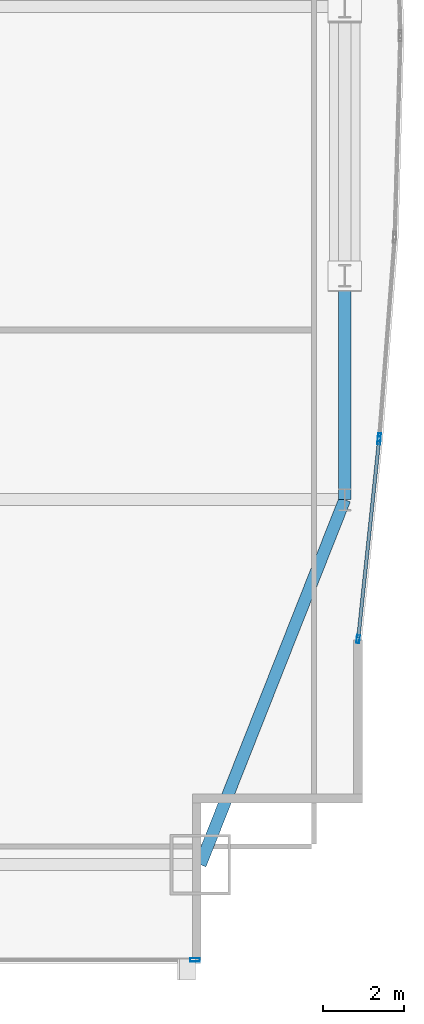
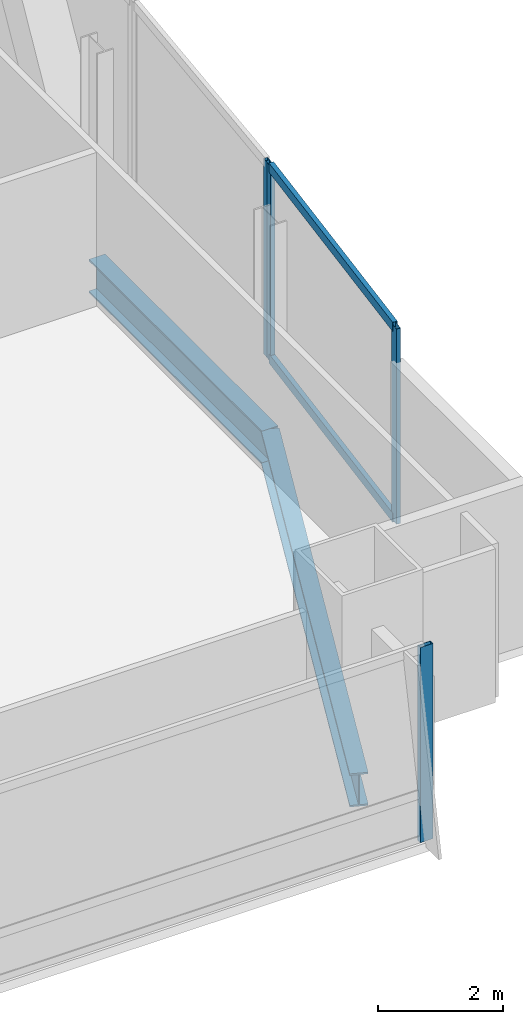
# One storey, part 22 of 32: 6 members, 2 beams, 3 elements without a shape of their own.
"""IFC4 building model written with IfcOpenShell, lengths in metres."""

from ifc_helpers import new_model, si_unit, direction, frame, origin, origin_2d, place, context, subcontext, project, spatial, hollow_rectangle, i_section, extrude, material, material_profile, profile_set, type_object, element, aggregate, save


model = new_model("IFC4")

# Units and contexts
model_context = context("Model", 3, precision=1e-05, world=origin(), true_north=direction((0.0, 1.0)))
body_context = subcontext(model_context, "Body", "Model", "MODEL_VIEW")
ifc_project = project(units=[si_unit("LENGTHUNIT", "METRE"), si_unit("AREAUNIT", "SQUARE_METRE"), si_unit("VOLUMEUNIT", "CUBIC_METRE"), si_unit("PLANEANGLEUNIT", "RADIAN"), si_unit("MASSUNIT", "GRAM", prefix="KILO")], contexts=[model_context])

# Site, building, storey
site_placement = place(None, origin())
site = spatial("IfcSite", under=ifc_project, at=site_placement, CompositionType="ELEMENT")
building_placement = place(site_placement, origin())
building = spatial("IfcBuilding", under=site, at=building_placement, Name="Khoronbel Lancet Exchange", CompositionType="ELEMENT")
storey_placement = place(building_placement, frame((0.0, 0.0, 94.60009765625)))
storey = spatial("IfcBuildingStorey", under=building, at=storey_placement, Name="L22", CompositionType="ELEMENT", Elevation=94.60009765625)

# Beams
ifc_material_1 = material(Name="Steel S355", Category="steel")
ifc_material_profile_1 = material_profile(ifc_material_1, i_section(OverallWidth=0.300048828125, OverallDepth=0.64990234375, WebThickness=0.01611328125, FlangeThickness=0.031005859375, at=origin_2d()), Name="HEB 650")
ifc_profile_set_1 = profile_set([ifc_material_profile_1], Name="Steel S355")
beam_type = type_object("IfcBeamType", Name="BM-BSP1", PredefinedType="SPANDREL", material=ifc_profile_set_1)
beam_1_placement = place(storey_placement, frame((66.050048828125, 10.14990234375, -0.505126953125), z_axis=(0.367828403855, 0.929893684954, 0.0), x_axis=(-0.929893684954, 0.367828403855, 0.0)))
element("IfcBeam", 1, at=beam_1_placement, inside=storey, type_object=beam_type, Name="Level L22 perimeter spandrel beam SP10", PredefinedType="SPANDREL", context=body_context, shape_type="SweptSolid", body=[
    extrude(i_section(OverallWidth=0.300048828125, OverallDepth=0.64990234375, WebThickness=0.01611328125, FlangeThickness=0.031005859375, at=origin_2d()), origin(), (0.0, 0.0, 1.0), 9.732421875),
])
beam_2_placement = place(storey_placement, frame((69.6298828125, 19.199951171875, -0.505126953125), z_axis=(0.0, 1.0, 0.0), x_axis=(-1.0, 0.0, 0.0)))
element("IfcBeam", 2, at=beam_2_placement, inside=storey, type_object=beam_type, Name="Level L22 perimeter spandrel beam SP11", PredefinedType="SPANDREL", context=body_context, shape_type="SweptSolid", body=[
    extrude(i_section(OverallWidth=0.300048828125, OverallDepth=0.64990234375, WebThickness=0.01611328125, FlangeThickness=0.031005859375, at=origin_2d()), origin(), (0.0, 0.0, 1.0), 5.550048828125),
])

# Curtain wall, member
ifc_material_2 = material(Name="Low-E Solar Control Insulating Glass", Category="glass")
curtain_wall_type_1 = type_object("IfcCurtainWallType", Name="CW-2", PredefinedType="NOTDEFINED", material=ifc_material_2)
curtain_wall_1_placement = place(storey_placement, origin())
curtain_wall_1 = element("IfcCurtainWall", 3, at=curtain_wall_1_placement, inside=storey, type_object=curtain_wall_type_1, Name="Unitised curtain wall CW-L22-SEV", PredefinedType="NOTDEFINED")
ifc_material_3 = material(Name="Bronze-Anodised Aluminium 6063-T6", Category="aluminium")
ifc_material_profile_2 = material_profile(ifc_material_3, hollow_rectangle(XDim=0.0849609375, YDim=0.239990234375, WallThickness=0.006103515625, at=origin_2d()), Name="ALU MULLION 85x240")
ifc_profile_set_2 = profile_set([ifc_material_profile_2], Name="Bronze-Anodised Aluminium 6063-T6")
member_type_1 = type_object("IfcMemberType", Name="MEM-CWM1", PredefinedType="MULLION", material=ifc_profile_set_2)
member_1_placement = place(storey_placement, frame((65.91748046875, 7.7900390625, 0.0), z_axis=(0.0, 0.0, 1.0), x_axis=(0.0, 1.0, 0.0)))
member_1 = element("IfcMember", 4, at=member_1_placement, type_object=member_type_1, Name="CW2 mullion 2", PredefinedType="MULLION", context=body_context, shape_type="SweptSolid", body=[
    extrude(hollow_rectangle(XDim=0.0849609375, YDim=0.239990234375, WallThickness=0.006103515625, at=origin_2d()), origin(), (0.0, 0.0, 1.0), 3.81982421875),
])
aggregate(curtain_wall_1, [member_1])

curtain_wall_type_2 = type_object("IfcCurtainWallType", Name="CW-4", PredefinedType="NOTDEFINED", material=ifc_material_2)
curtain_wall_2_placement = place(storey_placement, origin())
curtain_wall_2 = element("IfcCurtainWall", 5, at=curtain_wall_2_placement, inside=storey, type_object=curtain_wall_type_2, Name="Unitised curtain wall CW-L22-E21", PredefinedType="NOTDEFINED")
ifc_material_profile_3 = material_profile(ifc_material_3, hollow_rectangle(XDim=0.074951171875, YDim=0.199951171875, WallThickness=0.0048828125, at=origin_2d()), Name="ALU MULLION 75x200")
ifc_profile_set_3 = profile_set([ifc_material_profile_3], Name="Bronze-Anodised Aluminium 6063-T6")
member_type_2 = type_object("IfcMemberType", Name="MEM-CWM2", PredefinedType="MULLION", material=ifc_profile_set_3)
member_2_placement = place(storey_placement, frame((70.48828125, 20.74560546875, 0.0), z_axis=(0.0, 0.0, 1.0), x_axis=(0.997059882555, -0.076626304874, 0.0)))
member_2 = element("IfcMember", 6, at=member_2_placement, type_object=member_type_2, Name="CW4 mullion 2", PredefinedType="MULLION", context=body_context, shape_type="SweptSolid", body=[
    extrude(hollow_rectangle(XDim=0.074951171875, YDim=0.199951171875, WallThickness=0.0048828125, at=origin_2d()), origin(), (0.0, 0.0, 1.0), 3.81982421875),
])
aggregate(curtain_wall_2, [member_2])

# Curtain wall, members
curtain_wall_3_placement = place(storey_placement, origin())
curtain_wall_3 = element("IfcCurtainWall", 7, at=curtain_wall_3_placement, inside=storey, type_object=curtain_wall_type_2, Name="Unitised curtain wall CW-L22-E22", PredefinedType="NOTDEFINED")
member_3_placement = place(storey_placement, frame((70.4814453125, 20.6708984375, 0.0), z_axis=(0.0, 0.0, 1.0), x_axis=(0.994531779003, -0.104434383958, 0.0)))
member_3 = element("IfcMember", 8, at=member_3_placement, type_object=member_type_2, Name="CW4 mullion 1", PredefinedType="MULLION", context=body_context, shape_type="SweptSolid", body=[
    extrude(hollow_rectangle(XDim=0.074951171875, YDim=0.199951171875, WallThickness=0.0048828125, at=origin_2d()), origin(), (0.0, 0.0, 1.0), 3.81982421875),
])
member_4_placement = place(storey_placement, frame((69.9638671875, 15.741943359375, 0.0), z_axis=(0.0, 0.0, 1.0), x_axis=(0.994531779003, -0.104434383958, 0.0)))
member_4 = element("IfcMember", 9, at=member_4_placement, type_object=member_type_2, Name="CW4 mullion 2", PredefinedType="MULLION", context=body_context, shape_type="SweptSolid", body=[
    extrude(hollow_rectangle(XDim=0.074951171875, YDim=0.199951171875, WallThickness=0.0048828125, at=origin_2d()), origin(), (0.0, 0.0, 1.0), 3.81982421875),
])
ifc_material_profile_4 = material_profile(ifc_material_3, hollow_rectangle(XDim=0.0849609375, YDim=0.179931640625, WallThickness=0.0048828125, at=origin_2d()), Name="ALU TRANSOM 85x180")
ifc_profile_set_4 = profile_set([ifc_material_profile_4], Name="Bronze-Anodised Aluminium 6063-T6")
member_type_3 = type_object("IfcMemberType", Name="MEM-CWT1", PredefinedType="USERDEFINED", material=ifc_profile_set_4)
member_5_placement = place(storey_placement, frame((70.4775390625, 20.633544921875, 0.04248046875), z_axis=(-0.104440030005, -0.994531186104, 0.0), x_axis=(0.994531186104, -0.104440030005, 0.0)))
member_5 = element("IfcMember", 10, at=member_5_placement, type_object=member_type_3, Name="CW4 transom 1.1", ObjectType="TRANSOM", PredefinedType="USERDEFINED", context=body_context, shape_type="SweptSolid", body=[
    extrude(hollow_rectangle(XDim=0.0849609375, YDim=0.179931640625, WallThickness=0.0048828125, at=origin_2d()), origin(), (0.0, 0.0, 1.0), 4.880859375),
])
member_6_placement = place(storey_placement, frame((70.4775390625, 20.633544921875, 3.77734375), z_axis=(-0.104440030005, -0.994531186104, 0.0), x_axis=(0.994531186104, -0.104440030005, 0.0)))
member_6 = element("IfcMember", 11, at=member_6_placement, type_object=member_type_3, Name="CW4 transom 1.2", ObjectType="TRANSOM", PredefinedType="USERDEFINED", context=body_context, shape_type="SweptSolid", body=[
    extrude(hollow_rectangle(XDim=0.0849609375, YDim=0.179931640625, WallThickness=0.0048828125, at=origin_2d()), origin(), (0.0, 0.0, 1.0), 4.880859375),
])
aggregate(curtain_wall_3, [member_3, member_4, member_5, member_6])

save(model, "model.ifc")
